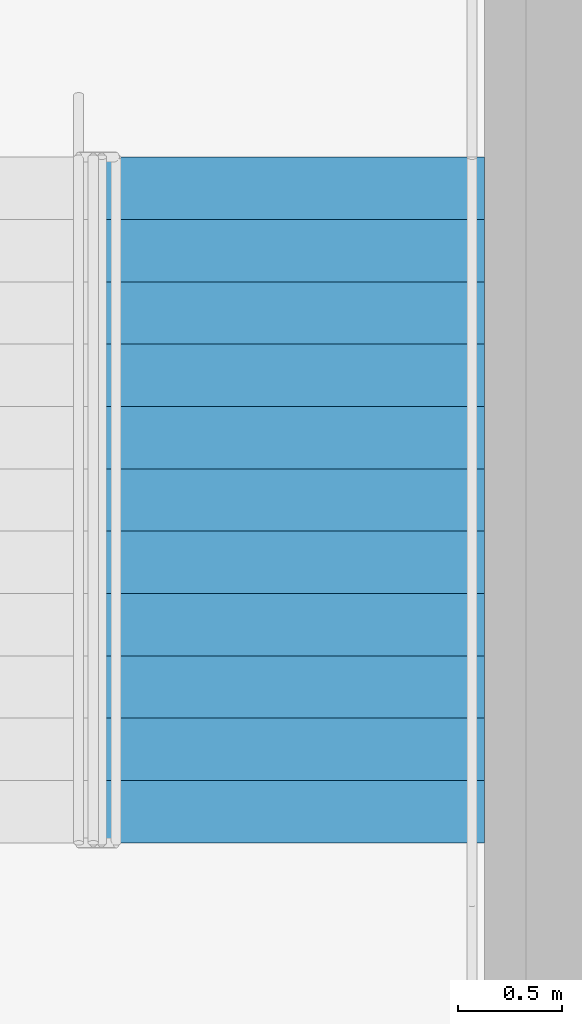
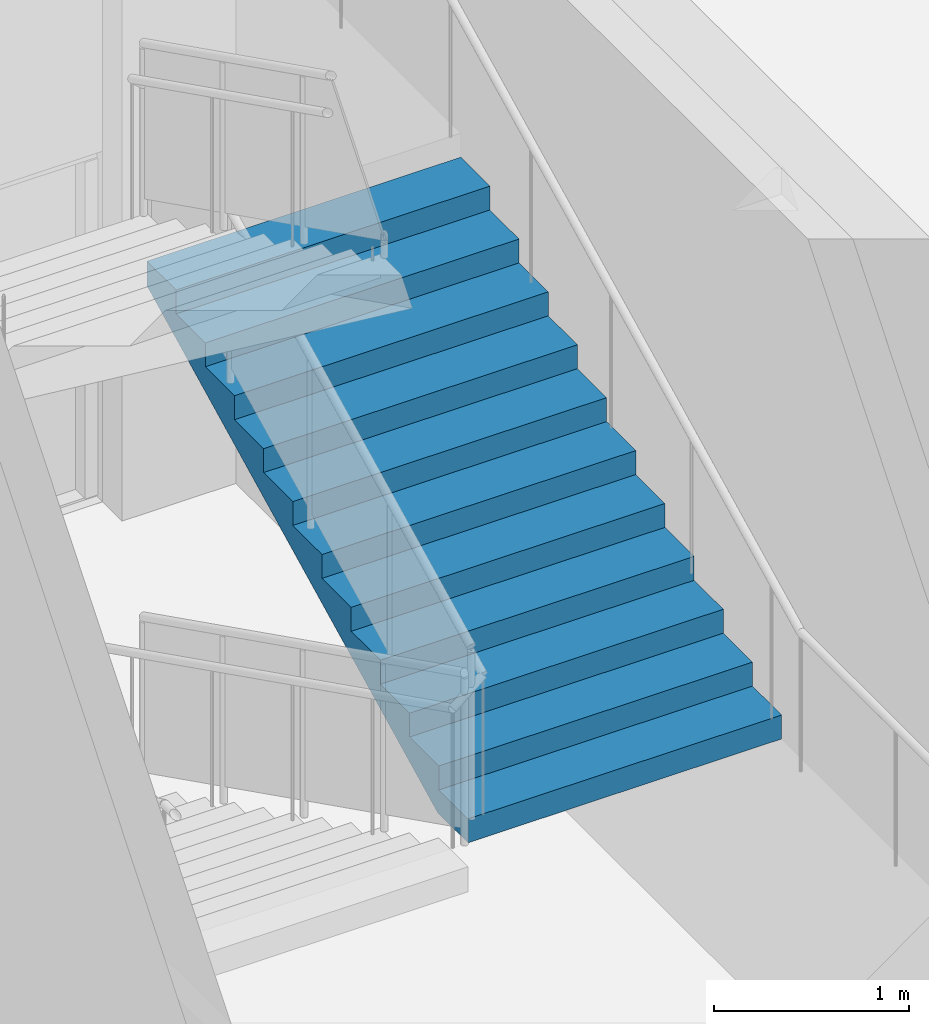
# One storey, part 58 of 74: 1 stair flight, 1 element without a shape of its own.
"""IFC4 building model written with IfcOpenShell, lengths in metres."""

from ifc_helpers import new_model, si_unit, direction, frame, origin, place, context, subcontext, project, spatial, faceted_brep, material, type_object, element, aggregate, save


model = new_model("IFC4")

# Units and contexts
model_context = context("Model", 3, precision=1e-05, world=origin(), true_north=direction((0.0, 1.0)))
body_context = subcontext(model_context, "Body", "Model", "MODEL_VIEW")
ifc_project = project(units=[si_unit("LENGTHUNIT", "METRE"), si_unit("AREAUNIT", "SQUARE_METRE"), si_unit("VOLUMEUNIT", "CUBIC_METRE"), si_unit("PLANEANGLEUNIT", "RADIAN"), si_unit("MASSUNIT", "GRAM", prefix="KILO")], contexts=[model_context])

# Site, building, storey
site_placement = place(None, origin())
site = spatial("IfcSite", under=ifc_project, at=site_placement, CompositionType="ELEMENT")
building_placement = place(site_placement, origin())
building = spatial("IfcBuilding", under=site, at=building_placement, Name="Rulbaag Community and Learning Centre", CompositionType="ELEMENT")
storey_placement = place(building_placement, origin())
storey = spatial("IfcBuildingStorey", under=building, at=storey_placement, Name="L00", CompositionType="ELEMENT", Elevation=0.0)

# Stair, stair flight
ifc_material = material(Name="Concrete M40", Category="concrete")
stair_type = type_object("IfcStairType", Name="ST-1862 STAIR 1862 WIDE", PredefinedType="HALF_TURN_STAIR", material=ifc_material)
stair_placement = place(storey_placement, origin())
stair = element("IfcStair", 1, at=stair_placement, inside=storey, type_object=stair_type, Name="Stair ST-H4 L00", PredefinedType="HALF_TURN_STAIR")
stair_flight_type = type_object("IfcStairFlightType", Name="FL-1862 FLIGHT 1862 WIDE Concrete M40", PredefinedType="STRAIGHT", material=ifc_material)
stair_flight_placement = place(storey_placement, frame((166.693603515625, 44.41259765625, 1.800048828125), z_axis=(0.0, 0.0, 1.0), x_axis=(0.0, 1.0, 0.0)))
stair_flight = element("IfcStairFlight", 2, at=stair_flight_placement, type_object=stair_flight_type, Name="ST-H4 flight 2", NumberOfRisers=12, NumberOfTreads=11, PredefinedType="STRAIGHT", RiserHeight=0.15, TreadLength=0.3, context=body_context, shape_type="Brep", body=[
    faceted_brep([(0.312744140625, -0.93115234375, 0.0), (3.300048828125, -0.93115234375, 1.49365234375), (3.300048828125, -0.93115234375, 1.64990234375), (3.0, -0.93115234375, 1.64990234375), (3.0, -0.93115234375, 1.5), (2.699951171875, -0.93115234375, 1.5), (2.699951171875, -0.93115234375, 1.35009765625), (2.39990234375, -0.93115234375, 1.35009765625), (2.39990234375, -0.93115234375, 1.199951171875), (2.10009765625, -0.93115234375, 1.199951171875), (2.10009765625, -0.93115234375, 1.050048828125), (1.800048828125, -0.93115234375, 1.050048828125), (1.800048828125, -0.93115234375, 0.89990234375), (1.5, -0.93115234375, 0.89990234375), (1.5, -0.93115234375, 0.75), (1.199951171875, -0.93115234375, 0.75), (1.199951171875, -0.93115234375, 0.60009765625), (0.89990234375, -0.93115234375, 0.60009765625), (0.89990234375, -0.93115234375, 0.449951171875), (0.60009765625, -0.93115234375, 0.449951171875), (0.60009765625, -0.93115234375, 0.300048828125), (0.300048828125, -0.93115234375, 0.300048828125), (0.300048828125, -0.93115234375, 0.14990234375), (0.0, -0.93115234375, 0.14990234375), (0.0, -0.93115234375, 0.0), (0.0, 0.93115234375, 0.0), (0.0, 0.93115234375, 0.14990234375), (0.300048828125, 0.93115234375, 0.14990234375), (0.300048828125, 0.93115234375, 0.300048828125), (0.60009765625, 0.93115234375, 0.300048828125), (0.60009765625, 0.93115234375, 0.449951171875), (0.89990234375, 0.93115234375, 0.449951171875), (0.89990234375, 0.93115234375, 0.60009765625), (1.199951171875, 0.93115234375, 0.60009765625), (1.199951171875, 0.93115234375, 0.75), (1.5, 0.93115234375, 0.75), (1.5, 0.93115234375, 0.89990234375), (1.800048828125, 0.93115234375, 0.89990234375), (1.800048828125, 0.93115234375, 1.050048828125), (2.10009765625, 0.93115234375, 1.050048828125), (2.10009765625, 0.93115234375, 1.199951171875), (2.39990234375, 0.93115234375, 1.199951171875), (2.39990234375, 0.93115234375, 1.35009765625), (2.699951171875, 0.93115234375, 1.35009765625), (2.699951171875, 0.93115234375, 1.5), (3.0, 0.93115234375, 1.5), (3.0, 0.93115234375, 1.64990234375), (3.300048828125, 0.93115234375, 1.64990234375), (3.300048828125, 0.93115234375, 1.49365234375), (0.312744140625, 0.93115234375, 0.0), (0.0, 0.0, 0.14990234375), (0.0, 0.0, 0.0), (0.300048828125, 0.0, 0.14990234375), (0.300048828125, 0.0, 0.300048828125), (0.60009765625, 0.0, 0.300048828125), (0.60009765625, 0.0, 0.449951171875), (0.89990234375, 0.0, 0.449951171875), (0.89990234375, 0.0, 0.60009765625), (1.199951171875, 0.0, 0.60009765625), (1.199951171875, 0.0, 0.75), (1.5, 0.0, 0.75), (1.5, 0.0, 0.89990234375), (1.800048828125, 0.0, 0.89990234375), (1.800048828125, 0.0, 1.050048828125), (2.10009765625, 0.0, 1.050048828125), (2.10009765625, 0.0, 1.199951171875), (2.39990234375, 0.0, 1.199951171875), (2.39990234375, 0.0, 1.35009765625), (2.699951171875, 0.0, 1.35009765625), (2.699951171875, 0.0, 1.5), (3.0, 0.0, 1.5), (3.0, 0.0, 1.64990234375), (3.300048828125, 0.0, 1.64990234375), (3.300048828125, 0.0, 1.49365234375), (0.312744140625, 0.0, 0.0)], [[[0, 1, 2, 3, 4, 5, 6, 7, 8, 9, 10, 11, 12, 13, 14, 15, 16, 17, 18, 19, 20, 21, 22, 23, 24]], [[25, 26, 27, 28, 29, 30, 31, 32, 33, 34, 35, 36, 37, 38, 39, 40, 41, 42, 43, 44, 45, 46, 47, 48, 49]], [[24, 23, 50, 51]], [[51, 50, 26, 25]], [[23, 22, 52, 50]], [[50, 52, 27, 26]], [[22, 21, 53, 52]], [[52, 53, 28, 27]], [[21, 20, 54, 53]], [[53, 54, 29, 28]], [[20, 19, 55, 54]], [[54, 55, 30, 29]], [[19, 18, 56, 55]], [[55, 56, 31, 30]], [[18, 17, 57, 56]], [[56, 57, 32, 31]], [[17, 16, 58, 57]], [[57, 58, 33, 32]], [[16, 15, 59, 58]], [[58, 59, 34, 33]], [[15, 14, 60, 59]], [[59, 60, 35, 34]], [[14, 13, 61, 60]], [[60, 61, 36, 35]], [[13, 12, 62, 61]], [[61, 62, 37, 36]], [[12, 11, 63, 62]], [[62, 63, 38, 37]], [[11, 10, 64, 63]], [[63, 64, 39, 38]], [[10, 9, 65, 64]], [[64, 65, 40, 39]], [[9, 8, 66, 65]], [[65, 66, 41, 40]], [[8, 7, 67, 66]], [[66, 67, 42, 41]], [[7, 6, 68, 67]], [[67, 68, 43, 42]], [[6, 5, 69, 68]], [[68, 69, 44, 43]], [[5, 4, 70, 69]], [[69, 70, 45, 44]], [[4, 3, 71, 70]], [[70, 71, 46, 45]], [[3, 2, 72, 71]], [[71, 72, 47, 46]], [[2, 1, 73, 72]], [[72, 73, 48, 47]], [[1, 0, 74, 73]], [[73, 74, 49, 48]], [[0, 24, 51, 74]], [[74, 51, 25, 49]]]),
])
aggregate(stair, [stair_flight])

save(model, "model.ifc")
